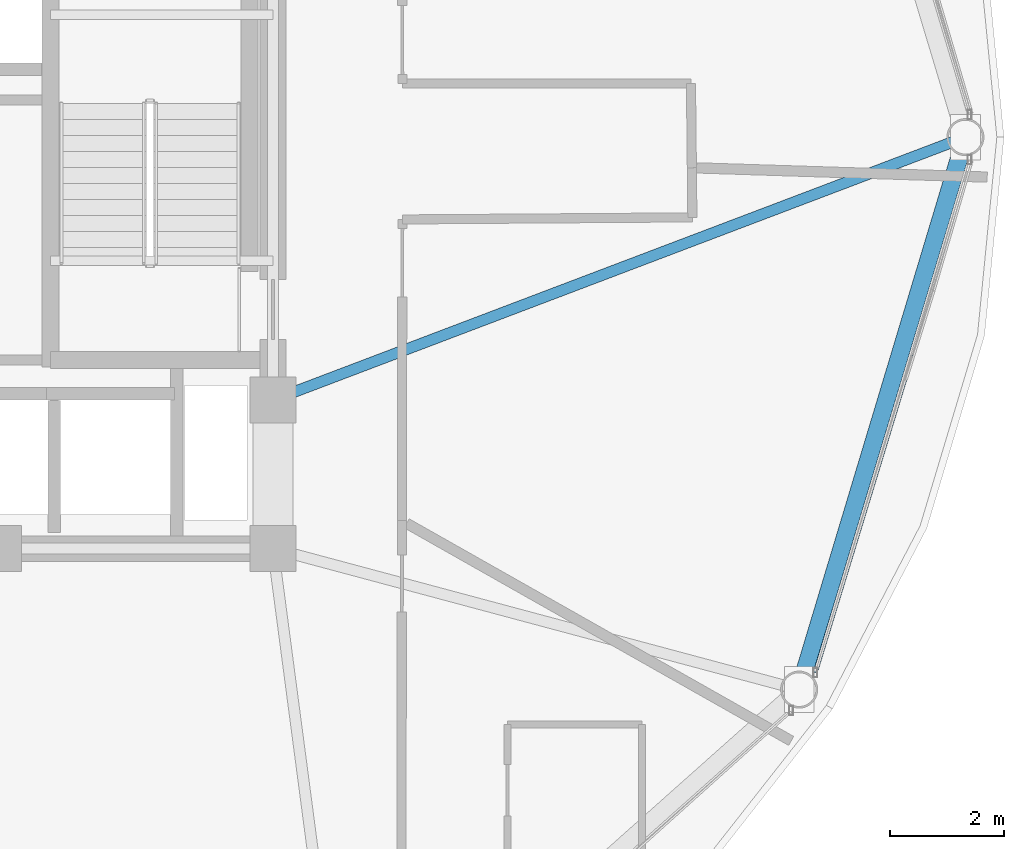
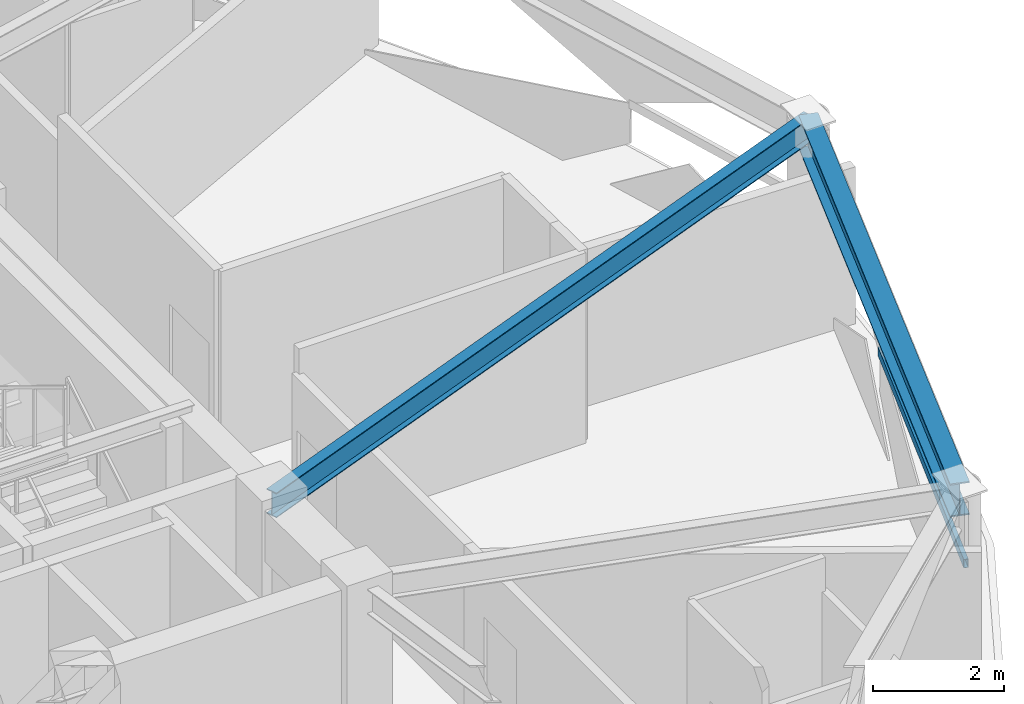
# One storey, part 12 of 28: 2 beams, 1 member, 1 element without a shape of its own.
"""IFC4 building model written with IfcOpenShell, lengths in metres."""

from ifc_helpers import new_model, si_unit, direction, frame, origin, origin_2d, place, context, subcontext, project, spatial, hollow_rectangle, i_section, extrude, material, layer, layer_set, material_profile, profile_set, type_object, element, aggregate, save


model = new_model("IFC4")

# Units and contexts
model_context = context("Model", 3, precision=1e-05, world=origin(), true_north=direction((0.0, 1.0)))
body_context = subcontext(model_context, "Body", "Model", "MODEL_VIEW")
ifc_project = project(units=[si_unit("LENGTHUNIT", "METRE"), si_unit("AREAUNIT", "SQUARE_METRE"), si_unit("VOLUMEUNIT", "CUBIC_METRE"), si_unit("PLANEANGLEUNIT", "RADIAN"), si_unit("MASSUNIT", "GRAM", prefix="KILO")], contexts=[model_context])

# Site, building, storey
site_placement = place(None, origin())
site = spatial("IfcSite", under=ifc_project, at=site_placement, CompositionType="ELEMENT")
building_placement = place(site_placement, origin())
building = spatial("IfcBuilding", under=site, at=building_placement, Name="Vantalir Tower", CompositionType="ELEMENT")
storey_placement = place(building_placement, frame((0.0, 0.0, 238.64990234375)))
storey = spatial("IfcBuildingStorey", under=building, at=storey_placement, Name="L60", CompositionType="ELEMENT", Elevation=238.64990234375)

# Beams
ifc_material_1 = material(Name="Steel S355", Category="steel")
ifc_material_profile_1 = material_profile(ifc_material_1, i_section(OverallWidth=0.19189453125, OverallDepth=0.462890625, WebThickness=0.010498046875, FlangeThickness=0.017578125, at=origin_2d()), Name="Steel S355")
ifc_profile_set_1 = profile_set([ifc_material_profile_1], Name="Steel S355")
beam_type_1 = type_object("IfcBeamType", Name="BM-RB-457x191", PredefinedType="BEAM", material=ifc_profile_set_1)
beam_1_placement = place(storey_placement, frame((53.218017578125, 25.0, 3.338134765625), z_axis=(-0.934904236312, -0.354900083018, 0.0), x_axis=(0.354900083018, -0.934904236312, 0.0)))
element("IfcBeam", 1, at=beam_1_placement, inside=storey, type_object=beam_type_1, Name="L60 Radial Floor Beam 01", PredefinedType="BEAM", context=body_context, shape_type="SweptSolid", body=[
    extrude(i_section(OverallWidth=0.19189453125, OverallDepth=0.462890625, WebThickness=0.010498046875, FlangeThickness=0.017578125, at=origin_2d()), origin(), (0.0, 0.0, 1.0), 12.961669921875),
])
ifc_material_2 = material(Name="Steel S460", Category="steel")
ifc_material_profile_2 = material_profile(ifc_material_2, i_section(OverallWidth=0.306884765625, OverallDepth=0.6201171875, WebThickness=0.01416015625, FlangeThickness=0.023681640625, at=origin_2d()), Name="Steel S460")
ifc_profile_set_2 = profile_set([ifc_material_profile_2], Name="Steel S460")
beam_type_2 = type_object("IfcBeamType", Name="BM-RG-610x305", PredefinedType="USERDEFINED", material=ifc_profile_set_2)
beam_2_placement = place(storey_placement, frame((50.30810546875, 15.3330078125, 3.260009765625), z_axis=(0.288239655449, 0.957558301633, 0.0), x_axis=(-0.957558301633, 0.288239655449, 0.0)))
element("IfcBeam", 2, at=beam_2_placement, inside=storey, type_object=beam_type_2, Name="L60 Circumferential Ring Girder 12", ObjectType="GIRDER", PredefinedType="USERDEFINED", context=body_context, shape_type="SweptSolid", body=[
    extrude(i_section(OverallWidth=0.306884765625, OverallDepth=0.6201171875, WebThickness=0.01416015625, FlangeThickness=0.023681640625, at=origin_2d()), origin(), (0.0, 0.0, 1.0), 10.095458984375),
])

# Curtain wall, member
ifc_material_3 = material(Name="Champagne-silver PVDF aluminium and double-silver Low-E glass", Category="aluminium")
ifc_layer = layer(ifc_material_3, 0.2099609375)
ifc_layer_set = layer_set([ifc_layer], Name="Champagne-silver PVDF aluminium and double-silver Low-E glass")
curtain_wall_type = type_object("IfcCurtainWallType", Name="CW-DIAMOND-Z3", PredefinedType="USERDEFINED", material=ifc_layer_set)
curtain_wall_placement = place(storey_placement, origin())
curtain_wall = element("IfcCurtainWall", 3, at=curtain_wall_placement, inside=storey, type_object=curtain_wall_type, Name="L60 Quilted Pyramid-Diamond Curtain Wall S12", ObjectType="UNITISED CURTAIN WALL", PredefinedType="USERDEFINED")
ifc_material_4 = material(Name="Champagne-silver PVDF aluminium 6063-T6", Category="aluminium")
ifc_material_profile_3 = material_profile(ifc_material_4, hollow_rectangle(XDim=0.074951171875, YDim=0.159912109375, WallThickness=0.00390625, at=origin_2d()), Name="Champagne-silver PVDF aluminium 6063-T6")
ifc_profile_set_3 = profile_set([ifc_material_profile_3], Name="Champagne-silver PVDF aluminium 6063-T6")
member_type = type_object("IfcMemberType", Name="CWT-160x75", PredefinedType="USERDEFINED", material=ifc_profile_set_3)
member_placement = place(storey_placement, frame((50.591064453125, 15.631103515625, 1.78515625), z_axis=(0.29188673045, 0.956452893031, 0.0), x_axis=(-0.956452893031, 0.29188673045, 0.0)))
member = element("IfcMember", 4, at=member_placement, type_object=member_type, Name="CW-L60-S12 Pyramid Fold Ridge Transom", ObjectType="TRANSOM", PredefinedType="USERDEFINED", context=body_context, shape_type="SweptSolid", body=[
    extrude(hollow_rectangle(XDim=0.074951171875, YDim=0.159912109375, WallThickness=0.00390625, at=origin_2d()), origin(), (0.0, 0.0, 1.0), 5.81396484375),
])
aggregate(curtain_wall, [member])

save(model, "model.ifc")
